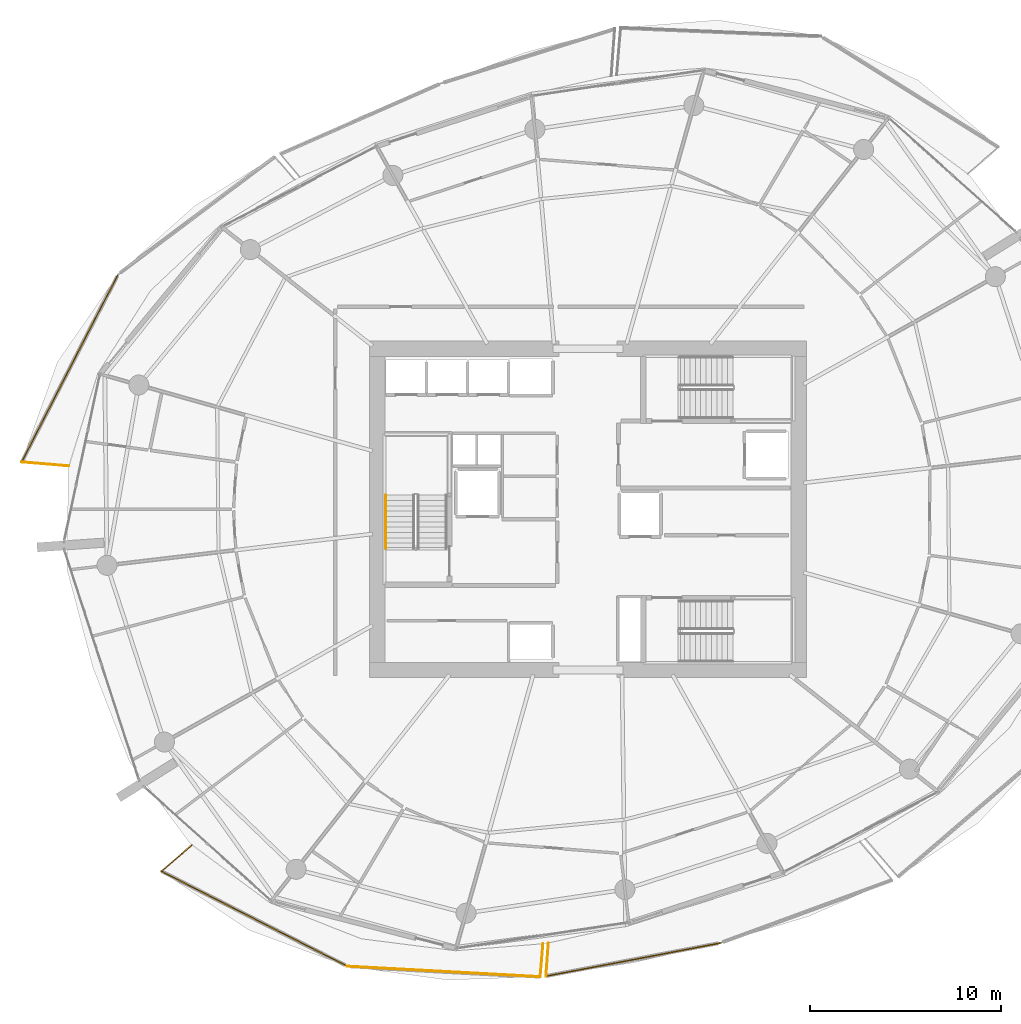
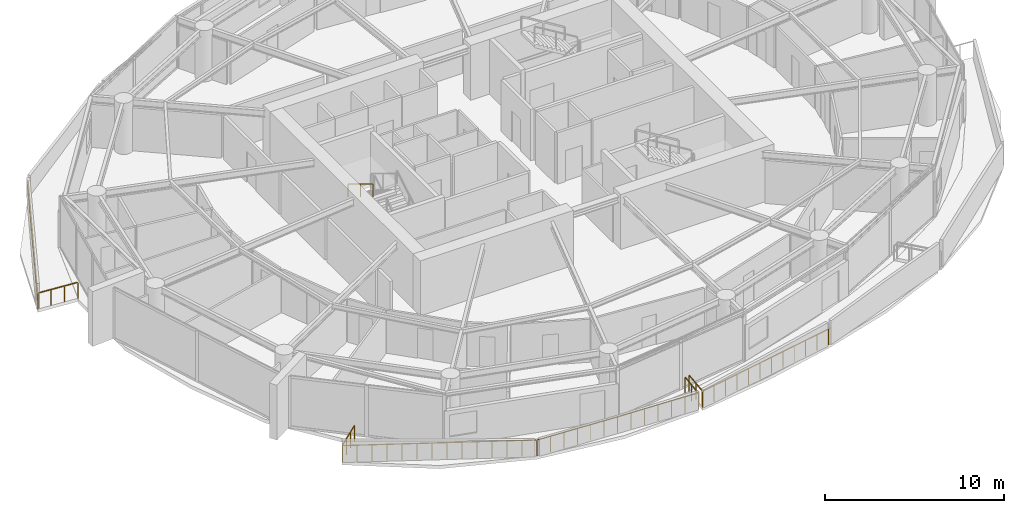
# One storey, part 16 of 20: 9 railings.
"""IFC4 building model written with IfcOpenShell, lengths in metres."""

import ifcopenshell
import ifcopenshell.guid

model = None  # the IFC model being written
_history = None  # IfcOwnerHistory: only IFC2X3 demands one
_inside = {}  # id of a spatial element -> (the spatial element, [elements in it])
_under = {}  # id of a project, library or spatial element -> (it, [spatial elements below it])
_declared = {}  # id of a project -> (the project, [libraries it declares])
_typed = {}  # id of a type object -> (the type object, [elements of that type])
_made_of = {}  # id of a material, layer set ... -> (it, [elements and type objects made of it])


def new_model(schema):
    """Start an empty IFC model of exactly this schema.

    Asked for "IFC4X3", IfcOpenShell would pick the latest addendum, in which some entities
    have other attributes; the version numbers below select the first issue.
    IFC2X3 requires an IfcOwnerHistory on every rooted entity: one is made here for all.
    """
    global model, _history
    if schema == "IFC4X3":
        model = ifcopenshell.file(schema_version=(4, 3, 0, 0))
    else:
        model = ifcopenshell.file(schema=schema)
    _inside.clear()
    _under.clear()
    _declared.clear()
    _typed.clear()
    _made_of.clear()
    _history = None
    if model.schema == "IFC2X3":
        org = make("IfcOrganization", Name="unknown")
        user = make(
            "IfcPersonAndOrganization",
            ThePerson=make("IfcPerson", FamilyName="unknown"),
            TheOrganization=org,
        )
        app = make(
            "IfcApplication",
            ApplicationDeveloper=org,
            Version="unknown",
            ApplicationFullName="unknown",
            ApplicationIdentifier="unknown",
        )
        _history = make(
            "IfcOwnerHistory",
            OwningUser=user,
            OwningApplication=app,
            ChangeAction="ADDED",
            CreationDate=0,
        )
    return model


def make(cls, **values):
    """One entity of the class cls with the attributes given. An attribute that is None is left unset."""
    return model.create_entity(
        cls, **{name: value for name, value in values.items() if value is not None}
    )


def rooted(cls, **values):
    """An entity with a GlobalId (a new one), such as an element, a storey or a relation."""
    return make(cls, GlobalId=ifcopenshell.guid.new(), OwnerHistory=_history, **values)


def si_unit(unit_type, name, prefix=None):
    """IfcSIUnit, for example si_unit("LENGTHUNIT", "METRE", prefix="MILLI")."""
    return make("IfcSIUnit", UnitType=unit_type, Prefix=prefix, Name=name)


def assignment(units):
    """IfcUnitAssignment: the units of a project."""
    return None if units is None else make("IfcUnitAssignment", Units=units)


def point(xyz):
    """IfcCartesianPoint."""
    return None if xyz is None else make("IfcCartesianPoint", Coordinates=xyz)


def direction(xyz):
    """IfcDirection."""
    return None if xyz is None else make("IfcDirection", DirectionRatios=xyz)


def frame(location, z_axis=None, x_axis=None):
    """IfcAxis2Placement3D, a coordinate frame: its origin and axes. An axis left out is left unset."""
    return make(
        "IfcAxis2Placement3D",
        Location=point(location),
        Axis=direction(z_axis),
        RefDirection=direction(x_axis),
    )


def frame_2d(location, x_axis=None):
    """IfcAxis2Placement2D, a coordinate frame in the plane: its origin and x axis."""
    return make(
        "IfcAxis2Placement2D", Location=point(location), RefDirection=direction(x_axis)
    )


def origin():
    """The frame at (0, 0, 0) with its axes left unset."""
    return frame((0.0, 0.0, 0.0))


def origin_2d():
    """The frame at (0, 0) in the plane with its x axis left unset."""
    return frame_2d((0.0, 0.0))


def place(relative_to, where):
    """IfcLocalPlacement: puts the frame where relative to a parent placement (None: the world)."""
    return make(
        "IfcLocalPlacement", PlacementRelTo=relative_to, RelativePlacement=where
    )


def context(
    kind, dimensions, precision=None, world=None, true_north=None, identifier=None
):
    """IfcGeometricRepresentationContext, for example the 3D "Model" context."""
    return make(
        "IfcGeometricRepresentationContext",
        ContextIdentifier=identifier,
        ContextType=kind,
        CoordinateSpaceDimension=dimensions,
        Precision=precision,
        WorldCoordinateSystem=world,
        TrueNorth=true_north,
    )


def subcontext(parent, identifier, kind, view, scale=None):
    """IfcGeometricRepresentationSubContext, for example "Body" below "Model"."""
    return make(
        "IfcGeometricRepresentationSubContext",
        ContextIdentifier=identifier,
        ContextType=kind,
        ParentContext=parent,
        TargetScale=scale,
        TargetView=view,
    )


def project(units=None, contexts=None):
    """IfcProject with its units and contexts."""
    return rooted(
        "IfcProject",
        Name="project",
        RepresentationContexts=contexts,
        UnitsInContext=assignment(units),
    )


def spatial(cls, under=None, at=None, **own):
    """A site, building, storey or space (cls), placed at a placement, below another one or the project."""
    s = rooted(cls, ObjectPlacement=at, **own)
    if under is not None:
        _under.setdefault(under.id(), (under, []))[1].append(s)
    return s


def profile(cls, at=None, kind="AREA", **sizes):
    """A parametric profile (cls). Its sizes go by their IFC names, for example OverallWidth=200.0."""
    return make(cls, ProfileType=kind, Position=at, **sizes)


def rectangle(**sizes):
    """IfcRectangleProfileDef."""
    return profile("IfcRectangleProfileDef", **sizes)


def extrude(swept, where, along, depth):
    """IfcExtrudedAreaSolid: the profile swept, set in the frame where, extruded along a direction by depth."""
    return make(
        "IfcExtrudedAreaSolid",
        SweptArea=swept,
        Position=where,
        ExtrudedDirection=direction(along),
        Depth=depth,
    )


def shape(context_of_items, identifier, shape_type, items):
    """IfcShapeRepresentation: the items that make up one representation, for example the "Body"."""
    return make(
        "IfcShapeRepresentation",
        ContextOfItems=context_of_items,
        RepresentationIdentifier=identifier,
        RepresentationType=shape_type,
        Items=items,
    )


def material(Name=None, Category=None):
    """IfcMaterial."""
    return make("IfcMaterial", Name=Name, Category=Category)


def made_of(thing, what):
    """Note that an element or type object is made of a material, layer set ...; save() writes the relation."""
    if what is not None:
        _made_of.setdefault(what.id(), (what, []))[1].append(thing)
    return thing


def type_object(cls, material=None, **own):
    """A type object (cls), such as IfcWallType, which elements share."""
    return made_of(rooted(cls, **own), material)


def element(
    cls,
    number,
    at=None,
    inside=None,
    cuts=None,
    type_object=None,
    material=None,
    context=None,
    identifier="Body",
    shape_type=None,
    held_by="IfcProductDefinitionShape",
    body=None,
    shapes=None,
    **own,
):
    """One element of the class cls, such as IfcWall. Its Tag is "e" and its number.

    at: its placement. inside: the storey or other place that contains it. cuts: it is an
    opening in that element (IfcRelVoidsElement). A single representation is given by context,
    identifier, shape_type and body (its items); several are given by shapes. held_by: the class
    of the entity that holds the representations. save() writes the other relations.
    """
    e = rooted(cls, Tag="e%d" % number, ObjectPlacement=at, **own)
    if body is not None:
        shapes = [shape(context, identifier, shape_type, body)]
    if shapes is not None:
        e.Representation = make(held_by, Representations=shapes)
    if inside is not None:
        _inside.setdefault(inside.id(), (inside, []))[1].append(e)
    if cuts is not None:
        rooted(
            "IfcRelVoidsElement", RelatingBuildingElement=cuts, RelatedOpeningElement=e
        )
    if type_object is not None:
        _typed.setdefault(type_object.id(), (type_object, []))[1].append(e)
    return made_of(e, material)


def aggregate(whole, parts):
    """IfcRelAggregates: a whole, such as a stair, and the parts it consists of."""
    return rooted("IfcRelAggregates", RelatingObject=whole, RelatedObjects=parts)


def save(model, path):
    """Write the relations noted so far, then the file.

    IfcRelAggregates (storeys below a building ...), IfcRelContainedInSpatialStructure (elements
    in a storey), IfcRelDefinesByType, IfcRelAssociatesMaterial and IfcRelDeclares: one each for
    every whole, place, type object, material and project.
    """
    for whole, parts in _under.values():
        aggregate(whole, parts)
    for where, things in _inside.values():
        rooted(
            "IfcRelContainedInSpatialStructure",
            RelatedElements=things,
            RelatingStructure=where,
        )
    for kind, things in _typed.values():
        rooted("IfcRelDefinesByType", RelatedObjects=things, RelatingType=kind)
    for what, things in _made_of.values():
        rooted("IfcRelAssociatesMaterial", RelatedObjects=things, RelatingMaterial=what)
    for by, libraries in _declared.values():
        rooted("IfcRelDeclares", RelatingContext=by, RelatedDefinitions=libraries)
    model.write(path)


model = new_model("IFC4")

# Units and contexts
model_context = context("Model", 3, precision=1e-05, world=origin(), true_north=direction((0.0, 1.0)))
body_context = subcontext(model_context, "Body", "Model", "MODEL_VIEW")
ifc_project = project(units=[si_unit("LENGTHUNIT", "METRE"), si_unit("AREAUNIT", "SQUARE_METRE"), si_unit("VOLUMEUNIT", "CUBIC_METRE"), si_unit("PLANEANGLEUNIT", "RADIAN"), si_unit("MASSUNIT", "GRAM", prefix="KILO")], contexts=[model_context])

# Site, building, storey
site_placement = place(None, origin())
site = spatial("IfcSite", under=ifc_project, at=site_placement, CompositionType="ELEMENT")
building_placement = place(site_placement, origin())
building = spatial("IfcBuilding", under=site, at=building_placement, Name="Kazma Halo Residences", CompositionType="ELEMENT")
storey_placement = place(building_placement, frame((0.0, 0.0, 131.550048828125)))
storey = spatial("IfcBuildingStorey", under=building, at=storey_placement, Name="L32", CompositionType="ELEMENT", Elevation=131.550048828125)

# Railings
ifc_material_1 = material(Name="Aluminium AW-6063 T6 Brushed Cap Rail", Category="aluminium")
railing_type_1 = type_object("IfcRailingType", Name="RLG-BAL-CAP-1120", PredefinedType="BALUSTRADE", material=ifc_material_1)
railing_1_placement = place(storey_placement, frame((23.8505859375, 54.3046875, 0.0)))
element("IfcRailing", 1, at=railing_1_placement, inside=storey, type_object=railing_type_1, Name="L32 NW wave balcony guard 3", PredefinedType="BALUSTRADE", context=body_context, shape_type="SweptSolid", body=[
    extrude(rectangle(XDim=0.050048828125, YDim=0.050048828125, at=origin_2d()), frame((-0.01953125, -0.037841796875, 1.09521484375), z_axis=(-0.45738295705, -0.889269830029, 0.0), x_axis=(0.889269830029, -0.45738295705, 0.0)), (0.0, 0.0, 1.0), 10.965087890625),
    extrude(rectangle(XDim=0.0400390625, YDim=0.0400390625, at=origin_2d()), origin(), (0.0, 0.0, 1.0), 1.05810546875),
    extrude(rectangle(XDim=0.0400390625, YDim=0.0400390625, at=origin_2d()), frame((-0.388671875, -0.755859375, 0.0)), (0.0, 0.0, 1.0), 1.05810546875),
    extrude(rectangle(XDim=0.0400390625, YDim=0.0400390625, at=origin_2d()), frame((-0.777587890625, -1.51171875, 0.0)), (0.0, 0.0, 1.0), 1.05810546875),
    extrude(rectangle(XDim=0.0400390625, YDim=0.0400390625, at=origin_2d()), frame((-1.166259765625, -2.267578125, 0.0)), (0.0, 0.0, 1.0), 1.05810546875),
    extrude(rectangle(XDim=0.0400390625, YDim=0.0400390625, at=origin_2d()), frame((-1.55517578125, -3.023681640625, 0.0)), (0.0, 0.0, 1.0), 1.05810546875),
    extrude(rectangle(XDim=0.0400390625, YDim=0.0400390625, at=origin_2d()), frame((-1.94384765625, -3.779541015625, 0.0)), (0.0, 0.0, 1.0), 1.05810546875),
    extrude(rectangle(XDim=0.0400390625, YDim=0.0400390625, at=origin_2d()), frame((-2.332763671875, -4.535400390625, 0.0)), (0.0, 0.0, 1.0), 1.05810546875),
    extrude(rectangle(XDim=0.0400390625, YDim=0.0400390625, at=origin_2d()), frame((-2.721435546875, -5.291259765625, 0.0)), (0.0, 0.0, 1.0), 1.05810546875),
    extrude(rectangle(XDim=0.0400390625, YDim=0.0400390625, at=origin_2d()), frame((-3.1103515625, -6.047119140625, 0.0)), (0.0, 0.0, 1.0), 1.05810546875),
    extrude(rectangle(XDim=0.0400390625, YDim=0.0400390625, at=origin_2d()), frame((-3.4990234375, -6.802978515625, 0.0)), (0.0, 0.0, 1.0), 1.05810546875),
    extrude(rectangle(XDim=0.0400390625, YDim=0.0400390625, at=origin_2d()), frame((-3.887939453125, -7.55908203125, 0.0)), (0.0, 0.0, 1.0), 1.05810546875),
    extrude(rectangle(XDim=0.0400390625, YDim=0.0400390625, at=origin_2d()), frame((-4.276611328125, -8.31494140625, 0.0)), (0.0, 0.0, 1.0), 1.05810546875),
    extrude(rectangle(XDim=0.0400390625, YDim=0.0400390625, at=origin_2d()), frame((-4.66552734375, -9.07080078125, 0.0)), (0.0, 0.0, 1.0), 1.05810546875),
    extrude(rectangle(XDim=0.0400390625, YDim=0.0400390625, at=origin_2d()), frame((-5.05419921875, -9.82666015625, 0.0)), (0.0, 0.0, 1.0), 1.05810546875),
])
railing_2_placement = place(storey_placement, frame((18.79638671875, 44.47802734375, 0.0)))
element("IfcRailing", 2, at=railing_2_placement, inside=storey, type_object=railing_type_1, Name="L32 NW wave balcony guard 4", PredefinedType="BALUSTRADE", context=body_context, shape_type="SweptSolid", body=[
    extrude(rectangle(XDim=0.050048828125, YDim=0.050048828125, at=origin_2d()), frame((0.04248046875, -0.003662109375, 1.09521484375), z_axis=(0.99641551306, -0.084593884732, 0.0), x_axis=(0.084593884732, 0.99641551306, 0.0)), (0.0, 0.0, 1.0), 2.39404296875),
    extrude(rectangle(XDim=0.0400390625, YDim=0.0400390625, at=origin_2d()), origin(), (0.0, 0.0, 1.0), 1.05810546875),
    extrude(rectangle(XDim=0.0400390625, YDim=0.0400390625, at=origin_2d()), frame((0.823486328125, -0.06982421875, 0.0)), (0.0, 0.0, 1.0), 1.05810546875),
    extrude(rectangle(XDim=0.0400390625, YDim=0.0400390625, at=origin_2d()), frame((1.646728515625, -0.139892578125, 0.0)), (0.0, 0.0, 1.0), 1.05810546875),
    extrude(rectangle(XDim=0.0400390625, YDim=0.0400390625, at=origin_2d()), frame((2.47021484375, -0.209716796875, 0.0)), (0.0, 0.0, 1.0), 1.05810546875),
])
railing_3_placement = place(storey_placement, frame((27.705322265625, 24.451416015625, 0.0)))
element("IfcRailing", 3, at=railing_3_placement, inside=storey, type_object=railing_type_1, Name="L32 SW wave balcony guard 1", PredefinedType="BALUSTRADE", context=body_context, shape_type="SweptSolid", body=[
    extrude(rectangle(XDim=0.050048828125, YDim=0.050048828125, at=origin_2d()), frame((-0.0322265625, -0.02783203125, 1.09521484375), z_axis=(-0.756372461646, -0.654141192147, 0.0), x_axis=(0.654141192147, -0.756372461646, 0.0)), (0.0, 0.0, 1.0), 2.023681640625),
    extrude(rectangle(XDim=0.0400390625, YDim=0.0400390625, at=origin_2d()), origin(), (0.0, 0.0, 1.0), 1.05810546875),
    extrude(rectangle(XDim=0.0400390625, YDim=0.0400390625, at=origin_2d()), frame((-0.53173828125, -0.459716796875, 0.0)), (0.0, 0.0, 1.0), 1.05810546875),
    extrude(rectangle(XDim=0.0400390625, YDim=0.0400390625, at=origin_2d()), frame((-1.063232421875, -0.919677734375, 0.0)), (0.0, 0.0, 1.0), 1.05810546875),
    extrude(rectangle(XDim=0.0400390625, YDim=0.0400390625, at=origin_2d()), frame((-1.594970703125, -1.37939453125, 0.0)), (0.0, 0.0, 1.0), 1.05810546875),
])
railing_4_placement = place(storey_placement, frame((26.1103515625, 23.072021484375, 0.0)))
element("IfcRailing", 4, at=railing_4_placement, inside=storey, type_object=railing_type_1, Name="L32 SW wave balcony guard 2", PredefinedType="BALUSTRADE", context=body_context, shape_type="SweptSolid", body=[
    extrude(rectangle(XDim=0.050048828125, YDim=0.050048828125, at=origin_2d()), frame((0.037841796875, -0.019287109375, 1.09521484375), z_axis=(0.890194561223, -0.45558055618, 0.0), x_axis=(0.45558055618, 0.890194561223, 0.0)), (0.0, 0.0, 1.0), 10.82568359375),
    extrude(rectangle(XDim=0.0400390625, YDim=0.0400390625, at=origin_2d()), origin(), (0.0, 0.0, 1.0), 1.05810546875),
    extrude(rectangle(XDim=0.0400390625, YDim=0.0400390625, at=origin_2d()), frame((0.7470703125, -0.38232421875, 0.0)), (0.0, 0.0, 1.0), 1.05810546875),
    extrude(rectangle(XDim=0.0400390625, YDim=0.0400390625, at=origin_2d()), frame((1.494140625, -0.7646484375, 0.0)), (0.0, 0.0, 1.0), 1.05810546875),
    extrude(rectangle(XDim=0.0400390625, YDim=0.0400390625, at=origin_2d()), frame((2.241455078125, -1.14697265625, 0.0)), (0.0, 0.0, 1.0), 1.05810546875),
    extrude(rectangle(XDim=0.0400390625, YDim=0.0400390625, at=origin_2d()), frame((2.988525390625, -1.529541015625, 0.0)), (0.0, 0.0, 1.0), 1.05810546875),
    extrude(rectangle(XDim=0.0400390625, YDim=0.0400390625, at=origin_2d()), frame((3.735595703125, -1.911865234375, 0.0)), (0.0, 0.0, 1.0), 1.05810546875),
    extrude(rectangle(XDim=0.0400390625, YDim=0.0400390625, at=origin_2d()), frame((4.482666015625, -2.294189453125, 0.0)), (0.0, 0.0, 1.0), 1.05810546875),
    extrude(rectangle(XDim=0.0400390625, YDim=0.0400390625, at=origin_2d()), frame((5.22998046875, -2.676513671875, 0.0)), (0.0, 0.0, 1.0), 1.05810546875),
    extrude(rectangle(XDim=0.0400390625, YDim=0.0400390625, at=origin_2d()), frame((5.97705078125, -3.058837890625, 0.0)), (0.0, 0.0, 1.0), 1.05810546875),
    extrude(rectangle(XDim=0.0400390625, YDim=0.0400390625, at=origin_2d()), frame((6.72412109375, -3.441162109375, 0.0)), (0.0, 0.0, 1.0), 1.05810546875),
    extrude(rectangle(XDim=0.0400390625, YDim=0.0400390625, at=origin_2d()), frame((7.47119140625, -3.82373046875, 0.0)), (0.0, 0.0, 1.0), 1.05810546875),
    extrude(rectangle(XDim=0.0400390625, YDim=0.0400390625, at=origin_2d()), frame((8.218505859375, -4.2060546875, 0.0)), (0.0, 0.0, 1.0), 1.05810546875),
    extrude(rectangle(XDim=0.0400390625, YDim=0.0400390625, at=origin_2d()), frame((8.965576171875, -4.58837890625, 0.0)), (0.0, 0.0, 1.0), 1.05810546875),
    extrude(rectangle(XDim=0.0400390625, YDim=0.0400390625, at=origin_2d()), frame((9.712646484375, -4.970703125, 0.0)), (0.0, 0.0, 1.0), 1.05810546875),
])
railing_5_placement = place(storey_placement, frame((35.822998046875, 18.101318359375, 0.0)))
element("IfcRailing", 5, at=railing_5_placement, inside=storey, type_object=railing_type_1, Name="L32 SW wave balcony guard 3", PredefinedType="BALUSTRADE", context=body_context, shape_type="SweptSolid", body=[
    extrude(rectangle(XDim=0.050048828125, YDim=0.050048828125, at=origin_2d()), frame((0.04248046875, -0.002197265625, 1.09521484375), z_axis=(0.998521071605, -0.054366069945, 0.0), x_axis=(0.054366069945, 0.998521071605, 0.0)), (0.0, 0.0, 1.0), 10.032470703125),
    extrude(rectangle(XDim=0.0400390625, YDim=0.0400390625, at=origin_2d()), origin(), (0.0, 0.0, 1.0), 1.05810546875),
    extrude(rectangle(XDim=0.0400390625, YDim=0.0400390625, at=origin_2d()), frame((0.841796875, -0.0458984375, 0.0)), (0.0, 0.0, 1.0), 1.05810546875),
    extrude(rectangle(XDim=0.0400390625, YDim=0.0400390625, at=origin_2d()), frame((1.683837890625, -0.091796875, 0.0)), (0.0, 0.0, 1.0), 1.05810546875),
    extrude(rectangle(XDim=0.0400390625, YDim=0.0400390625, at=origin_2d()), frame((2.525634765625, -0.137451171875, 0.0)), (0.0, 0.0, 1.0), 1.05810546875),
    extrude(rectangle(XDim=0.0400390625, YDim=0.0400390625, at=origin_2d()), frame((3.367431640625, -0.183349609375, 0.0)), (0.0, 0.0, 1.0), 1.05810546875),
    extrude(rectangle(XDim=0.0400390625, YDim=0.0400390625, at=origin_2d()), frame((4.20947265625, -0.229248046875, 0.0)), (0.0, 0.0, 1.0), 1.05810546875),
    extrude(rectangle(XDim=0.0400390625, YDim=0.0400390625, at=origin_2d()), frame((5.05126953125, -0.27490234375, 0.0)), (0.0, 0.0, 1.0), 1.05810546875),
    extrude(rectangle(XDim=0.0400390625, YDim=0.0400390625, at=origin_2d()), frame((5.89306640625, -0.32080078125, 0.0)), (0.0, 0.0, 1.0), 1.05810546875),
    extrude(rectangle(XDim=0.0400390625, YDim=0.0400390625, at=origin_2d()), frame((6.735107421875, -0.36669921875, 0.0)), (0.0, 0.0, 1.0), 1.05810546875),
    extrude(rectangle(XDim=0.0400390625, YDim=0.0400390625, at=origin_2d()), frame((7.576904296875, -0.41259765625, 0.0)), (0.0, 0.0, 1.0), 1.05810546875),
    extrude(rectangle(XDim=0.0400390625, YDim=0.0400390625, at=origin_2d()), frame((8.418701171875, -0.45849609375, 0.0)), (0.0, 0.0, 1.0), 1.05810546875),
    extrude(rectangle(XDim=0.0400390625, YDim=0.0400390625, at=origin_2d()), frame((9.2607421875, -0.504150390625, 0.0)), (0.0, 0.0, 1.0), 1.05810546875),
    extrude(rectangle(XDim=0.0400390625, YDim=0.0400390625, at=origin_2d()), frame((10.1025390625, -0.550048828125, 0.0)), (0.0, 0.0, 1.0), 1.05810546875),
])
railing_6_placement = place(storey_placement, frame((45.925537109375, 17.55126953125, 0.0)))
element("IfcRailing", 6, at=railing_6_placement, inside=storey, type_object=railing_type_1, Name="L32 SW wave balcony guard 4", PredefinedType="BALUSTRADE", context=body_context, shape_type="SweptSolid", body=[
    extrude(rectangle(XDim=0.050048828125, YDim=0.050048828125, at=origin_2d()), frame((0.003662109375, 0.04248046875, 1.09521484375), z_axis=(0.084454920282, 0.996427301131, 0.0), x_axis=(-0.996427301131, 0.084454920282, 0.0)), (0.0, 0.0, 1.0), 1.6494140625),
    extrude(rectangle(XDim=0.0400390625, YDim=0.0400390625, at=origin_2d()), origin(), (0.0, 0.0, 1.0), 1.05810546875),
    extrude(rectangle(XDim=0.0400390625, YDim=0.0400390625, at=origin_2d()), frame((0.0732421875, 0.8642578125, 0.0)), (0.0, 0.0, 1.0), 1.05810546875),
    extrude(rectangle(XDim=0.0400390625, YDim=0.0400390625, at=origin_2d()), frame((0.146484375, 1.728271484375, 0.0)), (0.0, 0.0, 1.0), 1.05810546875),
])
railing_7_placement = place(storey_placement, frame((46.3544921875, 19.32177734375, 0.0)))
element("IfcRailing", 7, at=railing_7_placement, inside=storey, type_object=railing_type_1, Name="L32 SSE wave balcony guard 1", PredefinedType="BALUSTRADE", context=body_context, shape_type="SweptSolid", body=[
    extrude(rectangle(XDim=0.050048828125, YDim=0.050048828125, at=origin_2d()), frame((-0.003173828125, -0.04248046875, 1.09521484375), z_axis=(-0.072391344873, -0.997376304705, 0.0), x_axis=(0.997376304705, -0.072391344873, 0.0)), (0.0, 0.0, 1.0), 1.658447265625),
    extrude(rectangle(XDim=0.0400390625, YDim=0.0400390625, at=origin_2d()), origin(), (0.0, 0.0, 1.0), 1.05810546875),
    extrude(rectangle(XDim=0.0400390625, YDim=0.0400390625, at=origin_2d()), frame((-0.06298828125, -0.86962890625, 0.0)), (0.0, 0.0, 1.0), 1.05810546875),
    extrude(rectangle(XDim=0.0400390625, YDim=0.0400390625, at=origin_2d()), frame((-0.126220703125, -1.739013671875, 0.0)), (0.0, 0.0, 1.0), 1.05810546875),
])
railing_8_placement = place(storey_placement, frame((46.228271484375, 17.582763671875, 0.0)))
element("IfcRailing", 8, at=railing_8_placement, inside=storey, type_object=railing_type_1, Name="L32 SSE wave balcony guard 2", PredefinedType="BALUSTRADE", context=body_context, shape_type="SweptSolid", body=[
    extrude(rectangle(XDim=0.050048828125, YDim=0.050048828125, at=origin_2d()), frame((0.041748046875, 0.008056640625, 1.09521484375), z_axis=(0.982403273544, 0.186772075349, 0.0), x_axis=(-0.186772075349, 0.982403273544, 0.0)), (0.0, 0.0, 1.0), 9.21923828125),
    extrude(rectangle(XDim=0.0400390625, YDim=0.0400390625, at=origin_2d()), origin(), (0.0, 0.0, 1.0), 1.05810546875),
    extrude(rectangle(XDim=0.0400390625, YDim=0.0400390625, at=origin_2d()), frame((0.8310546875, 0.157958984375, 0.0)), (0.0, 0.0, 1.0), 1.05810546875),
    extrude(rectangle(XDim=0.0400390625, YDim=0.0400390625, at=origin_2d()), frame((1.661865234375, 0.31591796875, 0.0)), (0.0, 0.0, 1.0), 1.05810546875),
    extrude(rectangle(XDim=0.0400390625, YDim=0.0400390625, at=origin_2d()), frame((2.492919921875, 0.473876953125, 0.0)), (0.0, 0.0, 1.0), 1.05810546875),
    extrude(rectangle(XDim=0.0400390625, YDim=0.0400390625, at=origin_2d()), frame((3.323974609375, 0.6318359375, 0.0)), (0.0, 0.0, 1.0), 1.05810546875),
    extrude(rectangle(XDim=0.0400390625, YDim=0.0400390625, at=origin_2d()), frame((4.15478515625, 0.789794921875, 0.0)), (0.0, 0.0, 1.0), 1.05810546875),
    extrude(rectangle(XDim=0.0400390625, YDim=0.0400390625, at=origin_2d()), frame((4.98583984375, 0.947998046875, 0.0)), (0.0, 0.0, 1.0), 1.05810546875),
    extrude(rectangle(XDim=0.0400390625, YDim=0.0400390625, at=origin_2d()), frame((5.816650390625, 1.10595703125, 0.0)), (0.0, 0.0, 1.0), 1.05810546875),
    extrude(rectangle(XDim=0.0400390625, YDim=0.0400390625, at=origin_2d()), frame((6.647705078125, 1.263916015625, 0.0)), (0.0, 0.0, 1.0), 1.05810546875),
    extrude(rectangle(XDim=0.0400390625, YDim=0.0400390625, at=origin_2d()), frame((7.478759765625, 1.421875, 0.0)), (0.0, 0.0, 1.0), 1.05810546875),
    extrude(rectangle(XDim=0.0400390625, YDim=0.0400390625, at=origin_2d()), frame((8.3095703125, 1.579833984375, 0.0)), (0.0, 0.0, 1.0), 1.05810546875),
    extrude(rectangle(XDim=0.0400390625, YDim=0.0400390625, at=origin_2d()), frame((9.140625, 1.73779296875, 0.0)), (0.0, 0.0, 1.0), 1.05810546875),
])
ifc_material_2 = material(Name="Brushed Stainless Steel", Category="steel")
railing_type_2 = type_object("IfcRailingType", Name="RLG-STAIR-HND-900", PredefinedType="HANDRAIL", material=ifc_material_2)
railing_9_placement = place(storey_placement, frame((37.85009765625, 42.75, 2.04541015625)))
element("IfcRailing", 9, at=railing_9_placement, inside=storey, type_object=railing_type_2, Name="L32 ST-01 stair handrail 2", PredefinedType="HANDRAIL", context=body_context, shape_type="SweptSolid", body=[
    extrude(rectangle(XDim=0.050048828125, YDim=0.050048828125, at=origin_2d()), frame((0.0, -0.036376953125, 0.89697265625), z_axis=(0.0, -0.854169791009, 0.51999420009), x_axis=(1.0, 0.0, 0.0)), (0.0, 0.0, 1.0), 3.193115234375),
    extrude(rectangle(XDim=0.0400390625, YDim=0.0400390625, at=origin_2d()), origin(), (0.0, 0.0, 1.0), 0.837890625),
    extrude(rectangle(XDim=0.0400390625, YDim=0.0400390625, at=origin_2d()), frame((0.0, -1.39990234375, 0.852294921875)), (0.0, 0.0, 1.0), 0.837890625),
    extrude(rectangle(XDim=0.0400390625, YDim=0.0400390625, at=origin_2d()), frame((0.0, -2.800048828125, 1.70458984375)), (0.0, 0.0, 1.0), 0.837890625),
])

save(model, "model.ifc")
